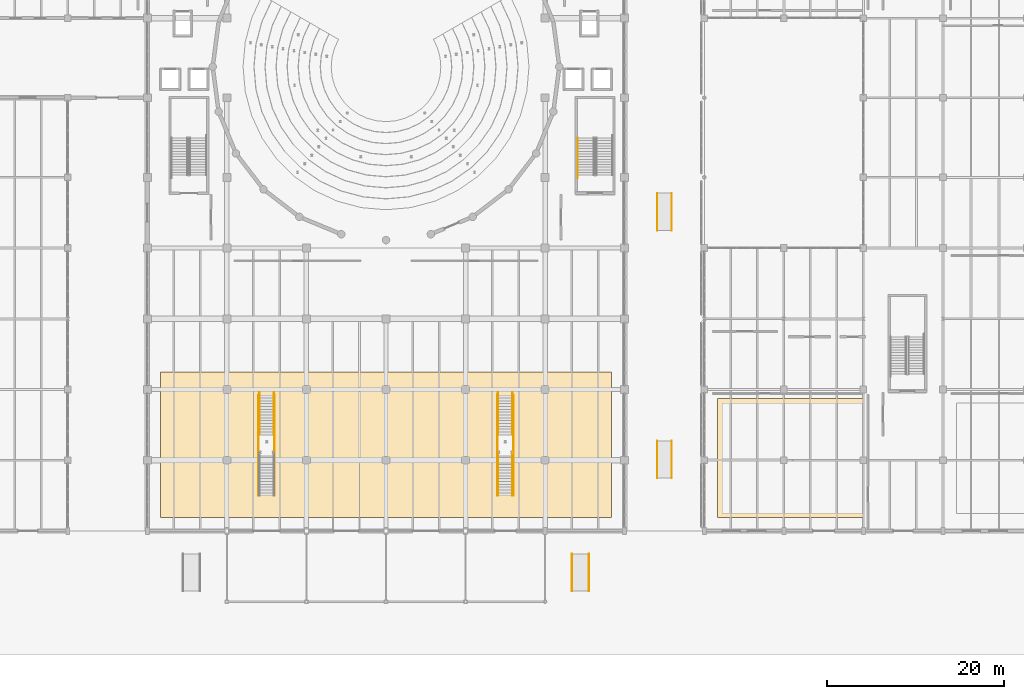
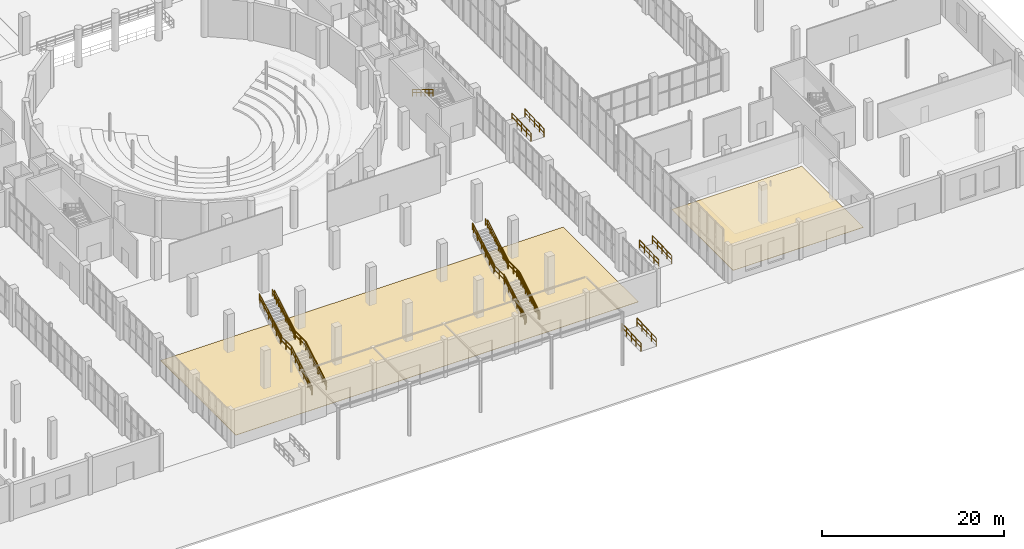
# One storey, part 96 of 103: 17 railings, 2 coverings.
"""IFC4 building model written with IfcOpenShell, lengths in metres."""

import ifcopenshell
import ifcopenshell.guid

model = None  # the IFC model being written
_history = None  # IfcOwnerHistory: only IFC2X3 demands one
_inside = {}  # id of a spatial element -> (the spatial element, [elements in it])
_under = {}  # id of a project, library or spatial element -> (it, [spatial elements below it])
_declared = {}  # id of a project -> (the project, [libraries it declares])
_typed = {}  # id of a type object -> (the type object, [elements of that type])
_made_of = {}  # id of a material, layer set ... -> (it, [elements and type objects made of it])


def new_model(schema):
    """Start an empty IFC model of exactly this schema.

    Asked for "IFC4X3", IfcOpenShell would pick the latest addendum, in which some entities
    have other attributes; the version numbers below select the first issue.
    IFC2X3 requires an IfcOwnerHistory on every rooted entity: one is made here for all.
    """
    global model, _history
    if schema == "IFC4X3":
        model = ifcopenshell.file(schema_version=(4, 3, 0, 0))
    else:
        model = ifcopenshell.file(schema=schema)
    _inside.clear()
    _under.clear()
    _declared.clear()
    _typed.clear()
    _made_of.clear()
    _history = None
    if model.schema == "IFC2X3":
        org = make("IfcOrganization", Name="unknown")
        user = make(
            "IfcPersonAndOrganization",
            ThePerson=make("IfcPerson", FamilyName="unknown"),
            TheOrganization=org,
        )
        app = make(
            "IfcApplication",
            ApplicationDeveloper=org,
            Version="unknown",
            ApplicationFullName="unknown",
            ApplicationIdentifier="unknown",
        )
        _history = make(
            "IfcOwnerHistory",
            OwningUser=user,
            OwningApplication=app,
            ChangeAction="ADDED",
            CreationDate=0,
        )
    return model


def make(cls, **values):
    """One entity of the class cls with the attributes given. An attribute that is None is left unset."""
    return model.create_entity(
        cls, **{name: value for name, value in values.items() if value is not None}
    )


def rooted(cls, **values):
    """An entity with a GlobalId (a new one), such as an element, a storey or a relation."""
    return make(cls, GlobalId=ifcopenshell.guid.new(), OwnerHistory=_history, **values)


def si_unit(unit_type, name, prefix=None):
    """IfcSIUnit, for example si_unit("LENGTHUNIT", "METRE", prefix="MILLI")."""
    return make("IfcSIUnit", UnitType=unit_type, Prefix=prefix, Name=name)


def assignment(units):
    """IfcUnitAssignment: the units of a project."""
    return None if units is None else make("IfcUnitAssignment", Units=units)


def point(xyz):
    """IfcCartesianPoint."""
    return None if xyz is None else make("IfcCartesianPoint", Coordinates=xyz)


def direction(xyz):
    """IfcDirection."""
    return None if xyz is None else make("IfcDirection", DirectionRatios=xyz)


def frame(location, z_axis=None, x_axis=None):
    """IfcAxis2Placement3D, a coordinate frame: its origin and axes. An axis left out is left unset."""
    return make(
        "IfcAxis2Placement3D",
        Location=point(location),
        Axis=direction(z_axis),
        RefDirection=direction(x_axis),
    )


def frame_2d(location, x_axis=None):
    """IfcAxis2Placement2D, a coordinate frame in the plane: its origin and x axis."""
    return make(
        "IfcAxis2Placement2D", Location=point(location), RefDirection=direction(x_axis)
    )


def origin():
    """The frame at (0, 0, 0) with its axes left unset."""
    return frame((0.0, 0.0, 0.0))


def origin_2d():
    """The frame at (0, 0) in the plane with its x axis left unset."""
    return frame_2d((0.0, 0.0))


def place(relative_to, where):
    """IfcLocalPlacement: puts the frame where relative to a parent placement (None: the world)."""
    return make(
        "IfcLocalPlacement", PlacementRelTo=relative_to, RelativePlacement=where
    )


def context(
    kind, dimensions, precision=None, world=None, true_north=None, identifier=None
):
    """IfcGeometricRepresentationContext, for example the 3D "Model" context."""
    return make(
        "IfcGeometricRepresentationContext",
        ContextIdentifier=identifier,
        ContextType=kind,
        CoordinateSpaceDimension=dimensions,
        Precision=precision,
        WorldCoordinateSystem=world,
        TrueNorth=true_north,
    )


def subcontext(parent, identifier, kind, view, scale=None):
    """IfcGeometricRepresentationSubContext, for example "Body" below "Model"."""
    return make(
        "IfcGeometricRepresentationSubContext",
        ContextIdentifier=identifier,
        ContextType=kind,
        ParentContext=parent,
        TargetScale=scale,
        TargetView=view,
    )


def project(units=None, contexts=None):
    """IfcProject with its units and contexts."""
    return rooted(
        "IfcProject",
        Name="project",
        RepresentationContexts=contexts,
        UnitsInContext=assignment(units),
    )


def spatial(cls, under=None, at=None, **own):
    """A site, building, storey or space (cls), placed at a placement, below another one or the project."""
    s = rooted(cls, ObjectPlacement=at, **own)
    if under is not None:
        _under.setdefault(under.id(), (under, []))[1].append(s)
    return s


def polyline(points):
    """IfcPolyline through the points."""
    return make("IfcPolyline", Points=[point(p) for p in points])


def profile(cls, at=None, kind="AREA", **sizes):
    """A parametric profile (cls). Its sizes go by their IFC names, for example OverallWidth=200.0."""
    return make(cls, ProfileType=kind, Position=at, **sizes)


def circle(**sizes):
    """IfcCircleProfileDef."""
    return profile("IfcCircleProfileDef", **sizes)


def outline(outer, holes=None, kind="AREA"):
    """IfcArbitraryClosedProfileDef: a profile drawn as a closed curve; with holes, ...WithVoids."""
    if holes is None:
        return make("IfcArbitraryClosedProfileDef", ProfileType=kind, OuterCurve=outer)
    return make(
        "IfcArbitraryProfileDefWithVoids",
        ProfileType=kind,
        OuterCurve=outer,
        InnerCurves=holes,
    )


def extrude(swept, where, along, depth):
    """IfcExtrudedAreaSolid: the profile swept, set in the frame where, extruded along a direction by depth."""
    return make(
        "IfcExtrudedAreaSolid",
        SweptArea=swept,
        Position=where,
        ExtrudedDirection=direction(along),
        Depth=depth,
    )


def shape(context_of_items, identifier, shape_type, items):
    """IfcShapeRepresentation: the items that make up one representation, for example the "Body"."""
    return make(
        "IfcShapeRepresentation",
        ContextOfItems=context_of_items,
        RepresentationIdentifier=identifier,
        RepresentationType=shape_type,
        Items=items,
    )


def material(Name=None, Category=None):
    """IfcMaterial."""
    return make("IfcMaterial", Name=Name, Category=Category)


def layer(
    of_material, thickness, ventilated=None, Name=None, Category=None, Priority=None
):
    """IfcMaterialLayer: one layer of a wall or slab, of a material (None: an air gap)."""
    return make(
        "IfcMaterialLayer",
        Material=of_material,
        LayerThickness=thickness,
        IsVentilated=ventilated,
        Name=Name,
        Category=Category,
        Priority=Priority,
    )


def layer_set(layers, Name=None):
    """IfcMaterialLayerSet."""
    return make("IfcMaterialLayerSet", MaterialLayers=layers, LayerSetName=Name)


def made_of(thing, what):
    """Note that an element or type object is made of a material, layer set ...; save() writes the relation."""
    if what is not None:
        _made_of.setdefault(what.id(), (what, []))[1].append(thing)
    return thing


def type_object(cls, material=None, **own):
    """A type object (cls), such as IfcWallType, which elements share."""
    return made_of(rooted(cls, **own), material)


def element(
    cls,
    number,
    at=None,
    inside=None,
    cuts=None,
    type_object=None,
    material=None,
    context=None,
    identifier="Body",
    shape_type=None,
    held_by="IfcProductDefinitionShape",
    body=None,
    shapes=None,
    **own,
):
    """One element of the class cls, such as IfcWall. Its Tag is "e" and its number.

    at: its placement. inside: the storey or other place that contains it. cuts: it is an
    opening in that element (IfcRelVoidsElement). A single representation is given by context,
    identifier, shape_type and body (its items); several are given by shapes. held_by: the class
    of the entity that holds the representations. save() writes the other relations.
    """
    e = rooted(cls, Tag="e%d" % number, ObjectPlacement=at, **own)
    if body is not None:
        shapes = [shape(context, identifier, shape_type, body)]
    if shapes is not None:
        e.Representation = make(held_by, Representations=shapes)
    if inside is not None:
        _inside.setdefault(inside.id(), (inside, []))[1].append(e)
    if cuts is not None:
        rooted(
            "IfcRelVoidsElement", RelatingBuildingElement=cuts, RelatedOpeningElement=e
        )
    if type_object is not None:
        _typed.setdefault(type_object.id(), (type_object, []))[1].append(e)
    return made_of(e, material)


def aggregate(whole, parts):
    """IfcRelAggregates: a whole, such as a stair, and the parts it consists of."""
    return rooted("IfcRelAggregates", RelatingObject=whole, RelatedObjects=parts)


def save(model, path):
    """Write the relations noted so far, then the file.

    IfcRelAggregates (storeys below a building ...), IfcRelContainedInSpatialStructure (elements
    in a storey), IfcRelDefinesByType, IfcRelAssociatesMaterial and IfcRelDeclares: one each for
    every whole, place, type object, material and project.
    """
    for whole, parts in _under.values():
        aggregate(whole, parts)
    for where, things in _inside.values():
        rooted(
            "IfcRelContainedInSpatialStructure",
            RelatedElements=things,
            RelatingStructure=where,
        )
    for kind, things in _typed.values():
        rooted("IfcRelDefinesByType", RelatedObjects=things, RelatingType=kind)
    for what, things in _made_of.values():
        rooted("IfcRelAssociatesMaterial", RelatedObjects=things, RelatingMaterial=what)
    for by, libraries in _declared.values():
        rooted("IfcRelDeclares", RelatingContext=by, RelatedDefinitions=libraries)
    model.write(path)


model = new_model("IFC4")

# Units and contexts
model_context = context("Model", 3, precision=1e-05, world=origin(), true_north=direction((0.0, 1.0)))
body_context = subcontext(model_context, "Body", "Model", "MODEL_VIEW")
ifc_project = project(units=[si_unit("LENGTHUNIT", "METRE"), si_unit("AREAUNIT", "SQUARE_METRE"), si_unit("VOLUMEUNIT", "CUBIC_METRE"), si_unit("PLANEANGLEUNIT", "RADIAN"), si_unit("MASSUNIT", "GRAM", prefix="KILO")], contexts=[model_context])

# Site, building, storey
site_placement = place(None, origin())
site = spatial("IfcSite", under=ifc_project, at=site_placement, CompositionType="ELEMENT")
building_placement = place(site_placement, origin())
building = spatial("IfcBuilding", under=site, at=building_placement, Name="Marnock Terrace Opera House", CompositionType="ELEMENT")
storey_placement = place(building_placement, origin())
storey = spatial("IfcBuildingStorey", under=building, at=storey_placement, Name="L00", CompositionType="ELEMENT", Elevation=0.0)

# Coverings
ifc_material_1 = material(Name="Polished Adelaide marble-chip terrazzo flooring", Category="masonry")
ifc_layer = layer(ifc_material_1, 0.034912109375)
ifc_layer_set = layer_set([ifc_layer], Name="Polished Adelaide marble-chip terrazzo flooring")
covering_type = type_object("IfcCoveringType", Name="COV-FLR-TERRAZZO", PredefinedType="FLOORING", material=ifc_layer_set)
covering_1_placement = place(storey_placement, origin())
element("IfcCovering", 1, at=covering_1_placement, inside=storey, type_object=covering_type, Name="L00 finished flooring FLR-GRAND-FOYER", PredefinedType="FLOORING", context=body_context, shape_type="SweptSolid", body=[
    extrude(outline(polyline([(56.5, 9.5), (107.5, 9.5), (107.5, 26.0), (56.5, 26.0), (56.5, 9.5)])), origin(), (0.0, 0.0, 1.0), 0.034912109375),
])
covering_2_placement = place(storey_placement, origin())
element("IfcCovering", 2, at=covering_2_placement, inside=storey, type_object=covering_type, Name="L00 finished flooring FLR-LYRIC-CAFE", PredefinedType="FLOORING", context=body_context, shape_type="SweptSolid", body=[
    extrude(outline(polyline([(119.5, 9.5), (136.0, 9.5), (136.0, 23.0), (119.5, 23.0), (119.5, 9.5)])), origin(), (0.0, 0.0, 1.0), 0.034912109375),
])

# Railings
ifc_material_2 = material(Name="Architectural bronze balustrade")
railing_type_1 = type_object("IfcRailingType", Name="RL-GUARD-1100", PredefinedType="GUARDRAIL", material=ifc_material_2)
railing_1_placement = place(storey_placement, frame((67.590087890625, 12.0, 0.0)))
element("IfcRailing", 3, at=railing_1_placement, inside=storey, type_object=railing_type_1, Name="L00 Grand Stair side guard L", PredefinedType="GUARDRAIL", context=body_context, shape_type="SweptSolid", body=[
    extrude(circle(Radius=0.02392578125, at=origin_2d()), frame((0.0, 0.0, 1.076171875), z_axis=(0.0, 0.856482277723, 0.516176431026), x_axis=(-1.0, 0.0, 0.0)), (0.0, 0.0, 1.0), 5.230712890625),
    extrude(circle(Radius=0.02392578125, at=origin_2d()), frame((0.0, 0.0, 0.550048828125), z_axis=(0.0, 0.856482277723, 0.516176431026), x_axis=(-1.0, 0.0, 0.0)), (0.0, 0.0, 1.0), 5.230712890625),
    extrude(circle(Radius=0.02392578125, at=origin_2d()), frame((0.0, 4.47998046875, 3.77587890625), z_axis=(0.0, 1.0, 0.0), x_axis=(-1.0, 0.0, 0.0)), (0.0, 0.0, 1.0), 2.39990234375),
    extrude(circle(Radius=0.02392578125, at=origin_2d()), frame((0.0, 4.47998046875, 3.25), z_axis=(0.0, 1.0, 0.0), x_axis=(-1.0, 0.0, 0.0)), (0.0, 0.0, 1.0), 2.39990234375),
    extrude(circle(Radius=0.02392578125, at=origin_2d()), frame((0.0, 6.8798828125, 3.77587890625), z_axis=(0.0, 0.856494712918, 0.516155796968), x_axis=(-1.0, 0.0, 0.0)), (0.0, 0.0, 1.0), 5.23095703125),
    extrude(circle(Radius=0.02392578125, at=origin_2d()), frame((0.0, 6.8798828125, 3.25), z_axis=(0.0, 0.856494712918, 0.516155796968), x_axis=(-1.0, 0.0, 0.0)), (0.0, 0.0, 1.0), 5.23095703125),
    extrude(circle(Radius=0.02099609375, at=origin_2d()), origin(), (0.0, 0.0, 1.0), 1.052001953125),
    extrude(circle(Radius=0.02099609375, at=origin_2d()), frame((0.0, 0.89599609375, 0.5400390625)), (0.0, 0.0, 1.0), 1.052001953125),
    extrude(circle(Radius=0.02099609375, at=origin_2d()), frame((0.0, 1.7919921875, 1.080078125)), (0.0, 0.0, 1.0), 1.052001953125),
    extrude(circle(Radius=0.02099609375, at=origin_2d()), frame((0.0, 2.68798828125, 1.619873046875)), (0.0, 0.0, 1.0), 1.052001953125),
    extrude(circle(Radius=0.02099609375, at=origin_2d()), frame((0.0, 3.583984375, 2.159912109375)), (0.0, 0.0, 1.0), 1.052001953125),
    extrude(circle(Radius=0.02099609375, at=origin_2d()), frame((0.0, 4.47998046875, 2.699951171875)), (0.0, 0.0, 1.0), 1.052001953125),
    extrude(circle(Radius=0.02099609375, at=origin_2d()), frame((0.0, 5.679931640625, 2.699951171875)), (0.0, 0.0, 1.0), 1.052001953125),
    extrude(circle(Radius=0.02099609375, at=origin_2d()), frame((0.0, 6.8798828125, 2.699951171875)), (0.0, 0.0, 1.0), 1.052001953125),
    extrude(circle(Radius=0.02099609375, at=origin_2d()), frame((0.0, 7.77587890625, 3.239990234375)), (0.0, 0.0, 1.0), 1.052001953125),
    extrude(circle(Radius=0.02099609375, at=origin_2d()), frame((0.0, 8.671875, 3.780029296875)), (0.0, 0.0, 1.0), 1.052001953125),
    extrude(circle(Radius=0.02099609375, at=origin_2d()), frame((0.0, 9.568115234375, 4.31982421875)), (0.0, 0.0, 1.0), 1.052001953125),
    extrude(circle(Radius=0.02099609375, at=origin_2d()), frame((0.0, 10.464111328125, 4.85986328125)), (0.0, 0.0, 1.0), 1.052001953125),
    extrude(circle(Radius=0.02099609375, at=origin_2d()), frame((0.0, 11.360107421875, 5.39990234375)), (0.0, 0.0, 1.0), 1.052001953125),
])
railing_2_placement = place(storey_placement, frame((69.409912109375, 12.0, 0.0)))
element("IfcRailing", 4, at=railing_2_placement, inside=storey, type_object=railing_type_1, Name="L00 Grand Stair side guard R", PredefinedType="GUARDRAIL", context=body_context, shape_type="SweptSolid", body=[
    extrude(circle(Radius=0.02392578125, at=origin_2d()), frame((0.0, 0.0, 1.076171875), z_axis=(0.0, 0.856482277723, 0.516176431026), x_axis=(-1.0, 0.0, 0.0)), (0.0, 0.0, 1.0), 5.230712890625),
    extrude(circle(Radius=0.02392578125, at=origin_2d()), frame((0.0, 0.0, 0.550048828125), z_axis=(0.0, 0.856482277723, 0.516176431026), x_axis=(-1.0, 0.0, 0.0)), (0.0, 0.0, 1.0), 5.230712890625),
    extrude(circle(Radius=0.02392578125, at=origin_2d()), frame((0.0, 4.47998046875, 3.77587890625), z_axis=(0.0, 1.0, 0.0), x_axis=(-1.0, 0.0, 0.0)), (0.0, 0.0, 1.0), 2.39990234375),
    extrude(circle(Radius=0.02392578125, at=origin_2d()), frame((0.0, 4.47998046875, 3.25), z_axis=(0.0, 1.0, 0.0), x_axis=(-1.0, 0.0, 0.0)), (0.0, 0.0, 1.0), 2.39990234375),
    extrude(circle(Radius=0.02392578125, at=origin_2d()), frame((0.0, 6.8798828125, 3.77587890625), z_axis=(0.0, 0.856494712918, 0.516155796968), x_axis=(-1.0, 0.0, 0.0)), (0.0, 0.0, 1.0), 5.23095703125),
    extrude(circle(Radius=0.02392578125, at=origin_2d()), frame((0.0, 6.8798828125, 3.25), z_axis=(0.0, 0.856494712918, 0.516155796968), x_axis=(-1.0, 0.0, 0.0)), (0.0, 0.0, 1.0), 5.23095703125),
    extrude(circle(Radius=0.02099609375, at=origin_2d()), origin(), (0.0, 0.0, 1.0), 1.052001953125),
    extrude(circle(Radius=0.02099609375, at=origin_2d()), frame((0.0, 0.89599609375, 0.5400390625)), (0.0, 0.0, 1.0), 1.052001953125),
    extrude(circle(Radius=0.02099609375, at=origin_2d()), frame((0.0, 1.7919921875, 1.080078125)), (0.0, 0.0, 1.0), 1.052001953125),
    extrude(circle(Radius=0.02099609375, at=origin_2d()), frame((0.0, 2.68798828125, 1.619873046875)), (0.0, 0.0, 1.0), 1.052001953125),
    extrude(circle(Radius=0.02099609375, at=origin_2d()), frame((0.0, 3.583984375, 2.159912109375)), (0.0, 0.0, 1.0), 1.052001953125),
    extrude(circle(Radius=0.02099609375, at=origin_2d()), frame((0.0, 4.47998046875, 2.699951171875)), (0.0, 0.0, 1.0), 1.052001953125),
    extrude(circle(Radius=0.02099609375, at=origin_2d()), frame((0.0, 5.679931640625, 2.699951171875)), (0.0, 0.0, 1.0), 1.052001953125),
    extrude(circle(Radius=0.02099609375, at=origin_2d()), frame((0.0, 6.8798828125, 2.699951171875)), (0.0, 0.0, 1.0), 1.052001953125),
    extrude(circle(Radius=0.02099609375, at=origin_2d()), frame((0.0, 7.77587890625, 3.239990234375)), (0.0, 0.0, 1.0), 1.052001953125),
    extrude(circle(Radius=0.02099609375, at=origin_2d()), frame((0.0, 8.671875, 3.780029296875)), (0.0, 0.0, 1.0), 1.052001953125),
    extrude(circle(Radius=0.02099609375, at=origin_2d()), frame((0.0, 9.568115234375, 4.31982421875)), (0.0, 0.0, 1.0), 1.052001953125),
    extrude(circle(Radius=0.02099609375, at=origin_2d()), frame((0.0, 10.464111328125, 4.85986328125)), (0.0, 0.0, 1.0), 1.052001953125),
    extrude(circle(Radius=0.02099609375, at=origin_2d()), frame((0.0, 11.360107421875, 5.39990234375)), (0.0, 0.0, 1.0), 1.052001953125),
])
railing_3_placement = place(storey_placement, frame((94.590087890625, 12.0, 0.0)))
element("IfcRailing", 5, at=railing_3_placement, inside=storey, type_object=railing_type_1, Name="L00 Grand Stair side guard L", PredefinedType="GUARDRAIL", context=body_context, shape_type="SweptSolid", body=[
    extrude(circle(Radius=0.02392578125, at=origin_2d()), frame((0.0, 0.0, 1.076171875), z_axis=(0.0, 0.856482277723, 0.516176431026), x_axis=(-1.0, 0.0, 0.0)), (0.0, 0.0, 1.0), 5.230712890625),
    extrude(circle(Radius=0.02392578125, at=origin_2d()), frame((0.0, 0.0, 0.550048828125), z_axis=(0.0, 0.856482277723, 0.516176431026), x_axis=(-1.0, 0.0, 0.0)), (0.0, 0.0, 1.0), 5.230712890625),
    extrude(circle(Radius=0.02392578125, at=origin_2d()), frame((0.0, 4.47998046875, 3.77587890625), z_axis=(0.0, 1.0, 0.0), x_axis=(-1.0, 0.0, 0.0)), (0.0, 0.0, 1.0), 2.39990234375),
    extrude(circle(Radius=0.02392578125, at=origin_2d()), frame((0.0, 4.47998046875, 3.25), z_axis=(0.0, 1.0, 0.0), x_axis=(-1.0, 0.0, 0.0)), (0.0, 0.0, 1.0), 2.39990234375),
    extrude(circle(Radius=0.02392578125, at=origin_2d()), frame((0.0, 6.8798828125, 3.77587890625), z_axis=(0.0, 0.856494712918, 0.516155796968), x_axis=(-1.0, 0.0, 0.0)), (0.0, 0.0, 1.0), 5.23095703125),
    extrude(circle(Radius=0.02392578125, at=origin_2d()), frame((0.0, 6.8798828125, 3.25), z_axis=(0.0, 0.856494712918, 0.516155796968), x_axis=(-1.0, 0.0, 0.0)), (0.0, 0.0, 1.0), 5.23095703125),
    extrude(circle(Radius=0.02099609375, at=origin_2d()), origin(), (0.0, 0.0, 1.0), 1.052001953125),
    extrude(circle(Radius=0.02099609375, at=origin_2d()), frame((0.0, 0.89599609375, 0.5400390625)), (0.0, 0.0, 1.0), 1.052001953125),
    extrude(circle(Radius=0.02099609375, at=origin_2d()), frame((0.0, 1.7919921875, 1.080078125)), (0.0, 0.0, 1.0), 1.052001953125),
    extrude(circle(Radius=0.02099609375, at=origin_2d()), frame((0.0, 2.68798828125, 1.619873046875)), (0.0, 0.0, 1.0), 1.052001953125),
    extrude(circle(Radius=0.02099609375, at=origin_2d()), frame((0.0, 3.583984375, 2.159912109375)), (0.0, 0.0, 1.0), 1.052001953125),
    extrude(circle(Radius=0.02099609375, at=origin_2d()), frame((0.0, 4.47998046875, 2.699951171875)), (0.0, 0.0, 1.0), 1.052001953125),
    extrude(circle(Radius=0.02099609375, at=origin_2d()), frame((0.0, 5.679931640625, 2.699951171875)), (0.0, 0.0, 1.0), 1.052001953125),
    extrude(circle(Radius=0.02099609375, at=origin_2d()), frame((0.0, 6.8798828125, 2.699951171875)), (0.0, 0.0, 1.0), 1.052001953125),
    extrude(circle(Radius=0.02099609375, at=origin_2d()), frame((0.0, 7.77587890625, 3.239990234375)), (0.0, 0.0, 1.0), 1.052001953125),
    extrude(circle(Radius=0.02099609375, at=origin_2d()), frame((0.0, 8.671875, 3.780029296875)), (0.0, 0.0, 1.0), 1.052001953125),
    extrude(circle(Radius=0.02099609375, at=origin_2d()), frame((0.0, 9.568115234375, 4.31982421875)), (0.0, 0.0, 1.0), 1.052001953125),
    extrude(circle(Radius=0.02099609375, at=origin_2d()), frame((0.0, 10.464111328125, 4.85986328125)), (0.0, 0.0, 1.0), 1.052001953125),
    extrude(circle(Radius=0.02099609375, at=origin_2d()), frame((0.0, 11.360107421875, 5.39990234375)), (0.0, 0.0, 1.0), 1.052001953125),
])
railing_4_placement = place(storey_placement, frame((96.409912109375, 12.0, 0.0)))
element("IfcRailing", 6, at=railing_4_placement, inside=storey, type_object=railing_type_1, Name="L00 Grand Stair side guard R", PredefinedType="GUARDRAIL", context=body_context, shape_type="SweptSolid", body=[
    extrude(circle(Radius=0.02392578125, at=origin_2d()), frame((0.0, 0.0, 1.076171875), z_axis=(0.0, 0.856482277723, 0.516176431026), x_axis=(-1.0, 0.0, 0.0)), (0.0, 0.0, 1.0), 5.230712890625),
    extrude(circle(Radius=0.02392578125, at=origin_2d()), frame((0.0, 0.0, 0.550048828125), z_axis=(0.0, 0.856482277723, 0.516176431026), x_axis=(-1.0, 0.0, 0.0)), (0.0, 0.0, 1.0), 5.230712890625),
    extrude(circle(Radius=0.02392578125, at=origin_2d()), frame((0.0, 4.47998046875, 3.77587890625), z_axis=(0.0, 1.0, 0.0), x_axis=(-1.0, 0.0, 0.0)), (0.0, 0.0, 1.0), 2.39990234375),
    extrude(circle(Radius=0.02392578125, at=origin_2d()), frame((0.0, 4.47998046875, 3.25), z_axis=(0.0, 1.0, 0.0), x_axis=(-1.0, 0.0, 0.0)), (0.0, 0.0, 1.0), 2.39990234375),
    extrude(circle(Radius=0.02392578125, at=origin_2d()), frame((0.0, 6.8798828125, 3.77587890625), z_axis=(0.0, 0.856494712918, 0.516155796968), x_axis=(-1.0, 0.0, 0.0)), (0.0, 0.0, 1.0), 5.23095703125),
    extrude(circle(Radius=0.02392578125, at=origin_2d()), frame((0.0, 6.8798828125, 3.25), z_axis=(0.0, 0.856494712918, 0.516155796968), x_axis=(-1.0, 0.0, 0.0)), (0.0, 0.0, 1.0), 5.23095703125),
    extrude(circle(Radius=0.02099609375, at=origin_2d()), origin(), (0.0, 0.0, 1.0), 1.052001953125),
    extrude(circle(Radius=0.02099609375, at=origin_2d()), frame((0.0, 0.89599609375, 0.5400390625)), (0.0, 0.0, 1.0), 1.052001953125),
    extrude(circle(Radius=0.02099609375, at=origin_2d()), frame((0.0, 1.7919921875, 1.080078125)), (0.0, 0.0, 1.0), 1.052001953125),
    extrude(circle(Radius=0.02099609375, at=origin_2d()), frame((0.0, 2.68798828125, 1.619873046875)), (0.0, 0.0, 1.0), 1.052001953125),
    extrude(circle(Radius=0.02099609375, at=origin_2d()), frame((0.0, 3.583984375, 2.159912109375)), (0.0, 0.0, 1.0), 1.052001953125),
    extrude(circle(Radius=0.02099609375, at=origin_2d()), frame((0.0, 4.47998046875, 2.699951171875)), (0.0, 0.0, 1.0), 1.052001953125),
    extrude(circle(Radius=0.02099609375, at=origin_2d()), frame((0.0, 5.679931640625, 2.699951171875)), (0.0, 0.0, 1.0), 1.052001953125),
    extrude(circle(Radius=0.02099609375, at=origin_2d()), frame((0.0, 6.8798828125, 2.699951171875)), (0.0, 0.0, 1.0), 1.052001953125),
    extrude(circle(Radius=0.02099609375, at=origin_2d()), frame((0.0, 7.77587890625, 3.239990234375)), (0.0, 0.0, 1.0), 1.052001953125),
    extrude(circle(Radius=0.02099609375, at=origin_2d()), frame((0.0, 8.671875, 3.780029296875)), (0.0, 0.0, 1.0), 1.052001953125),
    extrude(circle(Radius=0.02099609375, at=origin_2d()), frame((0.0, 9.568115234375, 4.31982421875)), (0.0, 0.0, 1.0), 1.052001953125),
    extrude(circle(Radius=0.02099609375, at=origin_2d()), frame((0.0, 10.464111328125, 4.85986328125)), (0.0, 0.0, 1.0), 1.052001953125),
    extrude(circle(Radius=0.02099609375, at=origin_2d()), frame((0.0, 11.360107421875, 5.39990234375)), (0.0, 0.0, 1.0), 1.052001953125),
])
for number, where, name in (
    (7, (112.679931640625, 14.0, 0.0), "RMP-PASS-01 bilateral accessible handrail L"),
    (8, (114.320068359375, 14.0, 0.0), "RMP-PASS-01 bilateral accessible handrail R"),
    (9, (112.679931640625, 42.0, 0.0), "RMP-PASS-02 bilateral accessible handrail L"),
    (10, (114.320068359375, 42.0, 0.0), "RMP-PASS-02 bilateral accessible handrail R"),
    (11, (103.030029296875, 1.199951171875, 0.0), "RMP-FORE-E bilateral accessible handrail L"),
    (12, (104.969970703125, 1.199951171875, 0.0), "RMP-FORE-E bilateral accessible handrail R"),
):
    element("IfcRailing", number, at=place(storey_placement, frame(where)), inside=storey, type_object=railing_type_1, Name=name, PredefinedType="GUARDRAIL", context=body_context, shape_type="SweptSolid", body=[
        extrude(circle(Radius=0.02392578125, at=origin_2d()), frame((0.0, 0.0, 1.076171875), z_axis=(0.0, 0.999445744913, 0.03328968272), x_axis=(-1.0, 0.0, 0.0)), (0.0, 0.0, 1.0), 4.202392578125),
        extrude(circle(Radius=0.02392578125, at=origin_2d()), frame((0.0, 0.0, 0.550048828125), z_axis=(0.0, 0.999445744913, 0.03328968272), x_axis=(-1.0, 0.0, 0.0)), (0.0, 0.0, 1.0), 4.202392578125),
        extrude(circle(Radius=0.02099609375, at=origin_2d()), origin(), (0.0, 0.0, 1.0), 1.052001953125),
        extrude(circle(Radius=0.02099609375, at=origin_2d()), frame((0.0, 1.050048828125, 0.034912109375)), (0.0, 0.0, 1.0), 1.052001953125),
        extrude(circle(Radius=0.02099609375, at=origin_2d()), frame((0.0, 2.10009765625, 0.06982421875)), (0.0, 0.0, 1.0), 1.052001953125),
        extrude(circle(Radius=0.02099609375, at=origin_2d()), frame((0.0, 3.14990234375, 0.10498046875)), (0.0, 0.0, 1.0), 1.052001953125),
        extrude(circle(Radius=0.02099609375, at=origin_2d()), frame((0.0, 4.199951171875, 0.139892578125)), (0.0, 0.0, 1.0), 1.052001953125),
    ])
railing_type_2 = type_object("IfcRailingType", Name="RL-HAND-900", PredefinedType="HANDRAIL", material=ifc_material_2)
railing_5_placement = place(storey_placement, frame((103.68994140625, 52.43994140625, 2.89208984375)))
element("IfcRailing", 13, at=railing_5_placement, inside=storey, type_object=railing_type_2, Name="L00 ST-02 stair handrail 2", PredefinedType="HANDRAIL", context=body_context, shape_type="SweptSolid", body=[
    extrude(circle(Radius=0.02392578125, at=origin_2d()), frame((0.0, 0.0, 0.8759765625), z_axis=(0.0, -0.857497030584, 0.514488913912), x_axis=(1.0, 0.0, 0.0)), (0.0, 0.0, 1.0), 5.247802734375),
    extrude(circle(Radius=0.02392578125, at=origin_2d()), frame((0.0, 0.0, 0.449951171875), z_axis=(0.0, -0.857497030584, 0.514488913912), x_axis=(1.0, 0.0, 0.0)), (0.0, 0.0, 1.0), 5.247802734375),
    extrude(circle(Radius=0.02099609375, at=origin_2d()), origin(), (0.0, 0.0, 1.0), 0.851806640625),
    extrude(circle(Radius=0.02099609375, at=origin_2d()), frame((0.0, -0.89990234375, 0.5400390625)), (0.0, 0.0, 1.0), 0.851806640625),
    extrude(circle(Radius=0.02099609375, at=origin_2d()), frame((0.0, -1.800048828125, 1.080078125)), (0.0, 0.0, 1.0), 0.851806640625),
    extrude(circle(Radius=0.02099609375, at=origin_2d()), frame((0.0, -2.699951171875, 1.619873046875)), (0.0, 0.0, 1.0), 0.851806640625),
    extrude(circle(Radius=0.02099609375, at=origin_2d()), frame((0.0, -3.60009765625, 2.159912109375)), (0.0, 0.0, 1.0), 0.851806640625),
    extrude(circle(Radius=0.02099609375, at=origin_2d()), frame((0.0, -4.5, 2.699951171875)), (0.0, 0.0, 1.0), 0.851806640625),
])
for number, where, name in (
    (14, (67.68994140625, 18.8798828125, 2.89208984375), "L00 Grand Stair upper flight handrail L"),
    (15, (69.31005859375, 18.8798828125, 2.89208984375), "L00 Grand Stair upper flight handrail R"),
):
    element("IfcRailing", number, at=place(storey_placement, frame(where)), inside=storey, type_object=railing_type_2, Name=name, PredefinedType="HANDRAIL", context=body_context, shape_type="SweptSolid", body=[
        extrude(circle(Radius=0.02392578125, at=origin_2d()), frame((0.0, 0.0, 0.8759765625), z_axis=(0.0, 0.871581456561, 0.490250716042), x_axis=(-1.0, 0.0, 0.0)), (0.0, 0.0, 1.0), 5.50732421875),
        extrude(circle(Radius=0.02392578125, at=origin_2d()), frame((0.0, 0.0, 0.449951171875), z_axis=(0.0, 0.871581456561, 0.490250716042), x_axis=(-1.0, 0.0, 0.0)), (0.0, 0.0, 1.0), 5.50732421875),
        extrude(circle(Radius=0.02099609375, at=origin_2d()), origin(), (0.0, 0.0, 1.0), 0.851806640625),
        extrude(circle(Radius=0.02099609375, at=origin_2d()), frame((0.0, 0.9599609375, 0.5400390625)), (0.0, 0.0, 1.0), 0.851806640625),
        extrude(circle(Radius=0.02099609375, at=origin_2d()), frame((0.0, 1.919921875, 1.080078125)), (0.0, 0.0, 1.0), 0.851806640625),
        extrude(circle(Radius=0.02099609375, at=origin_2d()), frame((0.0, 2.880126953125, 1.619873046875)), (0.0, 0.0, 1.0), 0.851806640625),
        extrude(circle(Radius=0.02099609375, at=origin_2d()), frame((0.0, 3.840087890625, 2.159912109375)), (0.0, 0.0, 1.0), 0.851806640625),
        extrude(circle(Radius=0.02099609375, at=origin_2d()), frame((0.0, 4.800048828125, 2.699951171875)), (0.0, 0.0, 1.0), 0.851806640625),
    ])
railing_6_placement = place(storey_placement, frame((94.68994140625, 12.0, 0.19189453125)))
element("IfcRailing", 16, at=railing_6_placement, inside=storey, type_object=railing_type_2, Name="L00 Grand Stair lower flight handrail L", PredefinedType="HANDRAIL", context=body_context, shape_type="SweptSolid", body=[
    extrude(circle(Radius=0.02392578125, at=origin_2d()), frame((0.0, 0.0, 0.8759765625), z_axis=(0.0, 0.871562514201, 0.490284390777), x_axis=(-1.0, 0.0, 0.0)), (0.0, 0.0, 1.0), 5.50732421875),
    extrude(circle(Radius=0.02392578125, at=origin_2d()), frame((0.0, 0.0, 0.449951171875), z_axis=(0.0, 0.871562514201, 0.490284390777), x_axis=(-1.0, 0.0, 0.0)), (0.0, 0.0, 1.0), 5.50732421875),
    extrude(circle(Radius=0.02099609375, at=origin_2d()), origin(), (0.0, 0.0, 1.0), 0.851806640625),
    extrude(circle(Radius=0.02099609375, at=origin_2d()), frame((0.0, 0.9599609375, 0.5400390625)), (0.0, 0.0, 1.0), 0.851806640625),
    extrude(circle(Radius=0.02099609375, at=origin_2d()), frame((0.0, 1.919921875, 1.080078125)), (0.0, 0.0, 1.0), 0.851806640625),
    extrude(circle(Radius=0.02099609375, at=origin_2d()), frame((0.0, 2.880126953125, 1.6201171875)), (0.0, 0.0, 1.0), 0.851806640625),
    extrude(circle(Radius=0.02099609375, at=origin_2d()), frame((0.0, 3.840087890625, 2.16015625)), (0.0, 0.0, 1.0), 0.851806640625),
    extrude(circle(Radius=0.02099609375, at=origin_2d()), frame((0.0, 4.800048828125, 2.7001953125)), (0.0, 0.0, 1.0), 0.851806640625),
])
railing_7_placement = place(storey_placement, frame((94.68994140625, 18.8798828125, 2.89208984375)))
element("IfcRailing", 17, at=railing_7_placement, inside=storey, type_object=railing_type_2, Name="L00 Grand Stair upper flight handrail L", PredefinedType="HANDRAIL", context=body_context, shape_type="SweptSolid", body=[
    extrude(circle(Radius=0.02392578125, at=origin_2d()), frame((0.0, 0.0, 0.8759765625), z_axis=(0.0, 0.871581456561, 0.490250716042), x_axis=(-1.0, 0.0, 0.0)), (0.0, 0.0, 1.0), 5.50732421875),
    extrude(circle(Radius=0.02392578125, at=origin_2d()), frame((0.0, 0.0, 0.449951171875), z_axis=(0.0, 0.871581456561, 0.490250716042), x_axis=(-1.0, 0.0, 0.0)), (0.0, 0.0, 1.0), 5.50732421875),
    extrude(circle(Radius=0.02099609375, at=origin_2d()), origin(), (0.0, 0.0, 1.0), 0.851806640625),
    extrude(circle(Radius=0.02099609375, at=origin_2d()), frame((0.0, 0.9599609375, 0.5400390625)), (0.0, 0.0, 1.0), 0.851806640625),
    extrude(circle(Radius=0.02099609375, at=origin_2d()), frame((0.0, 1.919921875, 1.080078125)), (0.0, 0.0, 1.0), 0.851806640625),
    extrude(circle(Radius=0.02099609375, at=origin_2d()), frame((0.0, 2.880126953125, 1.619873046875)), (0.0, 0.0, 1.0), 0.851806640625),
    extrude(circle(Radius=0.02099609375, at=origin_2d()), frame((0.0, 3.840087890625, 2.159912109375)), (0.0, 0.0, 1.0), 0.851806640625),
    extrude(circle(Radius=0.02099609375, at=origin_2d()), frame((0.0, 4.800048828125, 2.699951171875)), (0.0, 0.0, 1.0), 0.851806640625),
])
railing_8_placement = place(storey_placement, frame((96.31005859375, 12.0, 0.19189453125)))
element("IfcRailing", 18, at=railing_8_placement, inside=storey, type_object=railing_type_2, Name="L00 Grand Stair lower flight handrail R", PredefinedType="HANDRAIL", context=body_context, shape_type="SweptSolid", body=[
    extrude(circle(Radius=0.02392578125, at=origin_2d()), frame((0.0, 0.0, 0.8759765625), z_axis=(0.0, 0.871562514201, 0.490284390777), x_axis=(-1.0, 0.0, 0.0)), (0.0, 0.0, 1.0), 5.50732421875),
    extrude(circle(Radius=0.02392578125, at=origin_2d()), frame((0.0, 0.0, 0.449951171875), z_axis=(0.0, 0.871562514201, 0.490284390777), x_axis=(-1.0, 0.0, 0.0)), (0.0, 0.0, 1.0), 5.50732421875),
    extrude(circle(Radius=0.02099609375, at=origin_2d()), origin(), (0.0, 0.0, 1.0), 0.851806640625),
    extrude(circle(Radius=0.02099609375, at=origin_2d()), frame((0.0, 0.9599609375, 0.5400390625)), (0.0, 0.0, 1.0), 0.851806640625),
    extrude(circle(Radius=0.02099609375, at=origin_2d()), frame((0.0, 1.919921875, 1.080078125)), (0.0, 0.0, 1.0), 0.851806640625),
    extrude(circle(Radius=0.02099609375, at=origin_2d()), frame((0.0, 2.880126953125, 1.6201171875)), (0.0, 0.0, 1.0), 0.851806640625),
    extrude(circle(Radius=0.02099609375, at=origin_2d()), frame((0.0, 3.840087890625, 2.16015625)), (0.0, 0.0, 1.0), 0.851806640625),
    extrude(circle(Radius=0.02099609375, at=origin_2d()), frame((0.0, 4.800048828125, 2.7001953125)), (0.0, 0.0, 1.0), 0.851806640625),
])
railing_9_placement = place(storey_placement, frame((96.31005859375, 18.8798828125, 2.89208984375)))
element("IfcRailing", 19, at=railing_9_placement, inside=storey, type_object=railing_type_2, Name="L00 Grand Stair upper flight handrail R", PredefinedType="HANDRAIL", context=body_context, shape_type="SweptSolid", body=[
    extrude(circle(Radius=0.02392578125, at=origin_2d()), frame((0.0, 0.0, 0.8759765625), z_axis=(0.0, 0.871581456561, 0.490250716042), x_axis=(-1.0, 0.0, 0.0)), (0.0, 0.0, 1.0), 5.50732421875),
    extrude(circle(Radius=0.02392578125, at=origin_2d()), frame((0.0, 0.0, 0.449951171875), z_axis=(0.0, 0.871581456561, 0.490250716042), x_axis=(-1.0, 0.0, 0.0)), (0.0, 0.0, 1.0), 5.50732421875),
    extrude(circle(Radius=0.02099609375, at=origin_2d()), origin(), (0.0, 0.0, 1.0), 0.851806640625),
    extrude(circle(Radius=0.02099609375, at=origin_2d()), frame((0.0, 0.9599609375, 0.5400390625)), (0.0, 0.0, 1.0), 0.851806640625),
    extrude(circle(Radius=0.02099609375, at=origin_2d()), frame((0.0, 1.919921875, 1.080078125)), (0.0, 0.0, 1.0), 0.851806640625),
    extrude(circle(Radius=0.02099609375, at=origin_2d()), frame((0.0, 2.880126953125, 1.619873046875)), (0.0, 0.0, 1.0), 0.851806640625),
    extrude(circle(Radius=0.02099609375, at=origin_2d()), frame((0.0, 3.840087890625, 2.159912109375)), (0.0, 0.0, 1.0), 0.851806640625),
    extrude(circle(Radius=0.02099609375, at=origin_2d()), frame((0.0, 4.800048828125, 2.699951171875)), (0.0, 0.0, 1.0), 0.851806640625),
])

save(model, "model.ifc")
